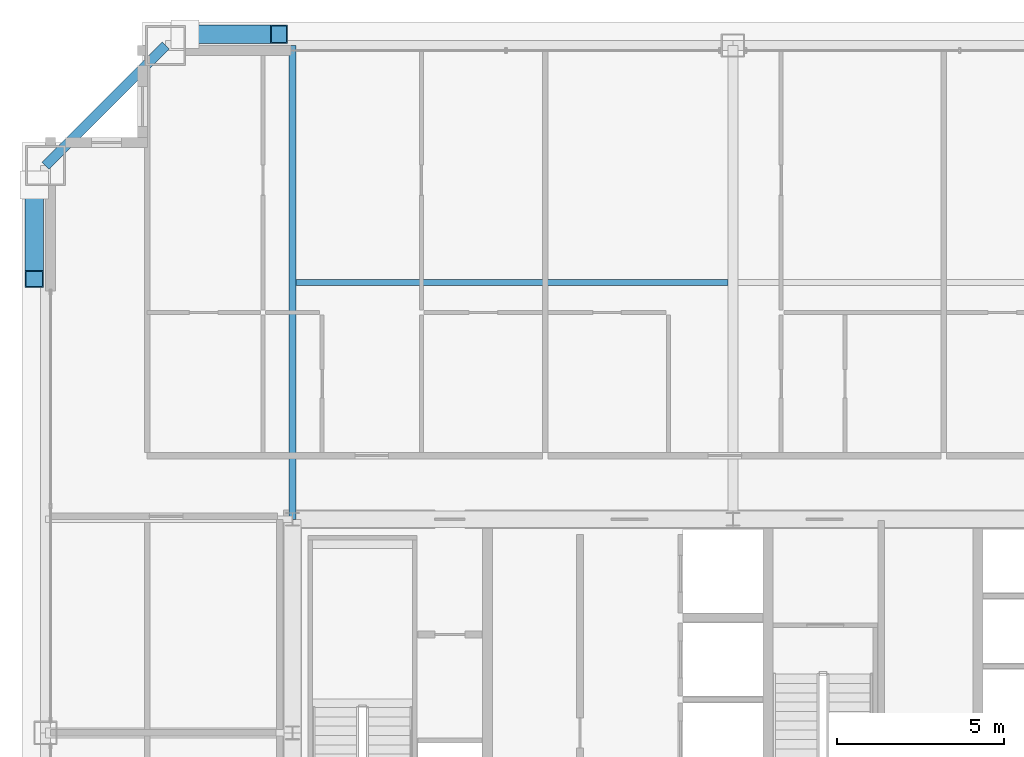
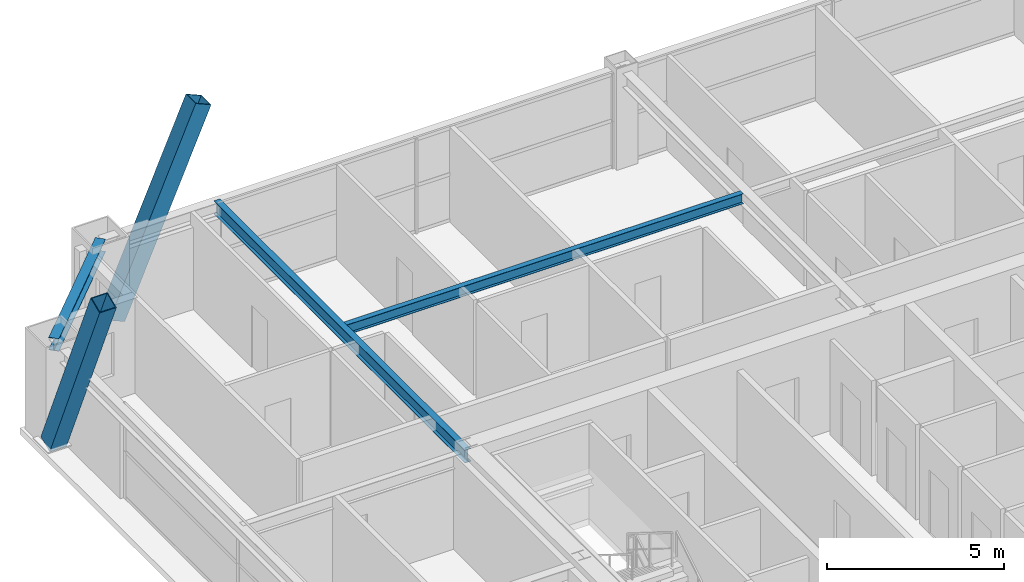
# One storey, part 21 of 35: 3 beams, 2 members.
"""IFC4 building model written with IfcOpenShell, lengths in metres."""

from ifc_helpers import new_model, si_unit, direction, frame, origin, origin_2d, place, context, subcontext, project, spatial, hollow_rectangle, i_section, extrude, source, transform, mapped, material, material_profile, profile_set, type_object, element, save


model = new_model("IFC4")

# Units and contexts
model_context = context("Model", 3, precision=1e-05, world=origin(), true_north=direction((0.0, 1.0)))
body_context = subcontext(model_context, "Body", "Model", "MODEL_VIEW")
ifc_project = project(units=[si_unit("LENGTHUNIT", "METRE"), si_unit("AREAUNIT", "SQUARE_METRE"), si_unit("VOLUMEUNIT", "CUBIC_METRE"), si_unit("PLANEANGLEUNIT", "RADIAN"), si_unit("MASSUNIT", "GRAM", prefix="KILO"), si_unit("THERMODYNAMICTEMPERATUREUNIT", "KELVIN"), si_unit("POWERUNIT", "WATT")], contexts=[model_context])

# Site, building, storey
site_placement = place(None, origin())
site = spatial("IfcSite", under=ifc_project, at=site_placement, CompositionType="ELEMENT")
building_placement = place(site_placement, origin())
building = spatial("IfcBuilding", under=site, at=building_placement, Name="Yuzanri Waterfront Tower", CompositionType="ELEMENT")
storey_placement = place(building_placement, frame((0.0, 0.0, 248.60009765625)))
storey = spatial("IfcBuildingStorey", under=building, at=storey_placement, Name="L66", CompositionType="ELEMENT", Elevation=248.60009765625)

# Beams
ifc_material_1 = material(Name="Steel Q355B", Category="steel")
ifc_material_profile_1 = material_profile(ifc_material_1, i_section(OverallWidth=0.300048828125, OverallDepth=0.43994140625, WebThickness=0.010986328125, FlangeThickness=0.01806640625, at=origin_2d()), Name="HM 440x300x11x18")
ifc_profile_set_1 = profile_set([ifc_material_profile_1], Name="Steel Q355B")
beam_type_1 = type_object("IfcBeamType", Name="Perimeter Spandrel Q355B HM 440x300", PredefinedType="SPANDREL", material=ifc_profile_set_1)
shared_shape_1 = source(origin(), body_context, "Body", "SweptSolid", [
    extrude(i_section(OverallWidth=0.300048828125, OverallDepth=0.43994140625, WebThickness=0.010986328125, FlangeThickness=0.01806640625, at=origin_2d()), origin(), (0.0, 0.0, 1.0), 5.091064453125),
])
beam_1_placement = place(storey_placement, frame((20.0, 46.39990234375, 3.059814453125), z_axis=(-0.707130757816, -0.707082803744, 0.0), x_axis=(0.707082803744, -0.707130757816, 0.0)))
element("IfcBeam", 1, at=beam_1_placement, inside=storey, type_object=beam_type_1, Name="L66 Perimeter Spandrel N1-W3", PredefinedType="SPANDREL", context=body_context, shape_type="MappedRepresentation", body=[
    mapped(shared_shape_1, transform((0.0, 0.0, 0.0), scale=1.0)),
])
ifc_material_2 = material(Name="Steel Q355B", Category="steel")
ifc_material_profile_2 = material_profile(ifc_material_2, i_section(OverallWidth=0.199951171875, OverallDepth=0.449951171875, WebThickness=0.009033203125, FlangeThickness=0.013916015625, at=origin_2d()), Name="HN 450x200x9x14")
ifc_profile_set_2 = profile_set([ifc_material_profile_2], Name="Steel Q355B")
beam_type_2 = type_object("IfcBeamType", Name="Secondary Floor Beam Q355B HN 450x200", PredefinedType="BEAM", material=ifc_profile_set_2)
shared_shape_2 = source(origin(), body_context, "Body", "SweptSolid", [
    extrude(i_section(OverallWidth=0.199951171875, OverallDepth=0.449951171875, WebThickness=0.009033203125, FlangeThickness=0.013916015625, at=origin_2d()), origin(), (0.0, 0.0, 1.0), 14.199951171875),
])
beam_2_placement = place(storey_placement, frame((23.800048828125, 32.199951171875, 3.054931640625), z_axis=(0.0, 1.0, 0.0), x_axis=(-1.0, 0.0, 0.0)))
element("IfcBeam", 2, at=beam_2_placement, inside=storey, type_object=beam_type_2, Name="L66 North-West Core Line Beam", PredefinedType="BEAM", context=body_context, shape_type="MappedRepresentation", body=[
    mapped(shared_shape_2, transform((0.0, 0.0, 0.0), scale=1.0)),
])
ifc_material_3 = material(Name="Steel Q355B", Category="steel")
ifc_material_profile_3 = material_profile(ifc_material_3, i_section(OverallWidth=0.175048828125, OverallDepth=0.35009765625, WebThickness=0.007080078125, FlangeThickness=0.010986328125, at=origin_2d()), Name="HN 350x175x7x11")
ifc_profile_set_3 = profile_set([ifc_material_profile_3], Name="Steel Q355B")
beam_type_3 = type_object("IfcBeamType", Name="Floor Joist Q355B HN 350x175", PredefinedType="JOIST", material=ifc_profile_set_3)
shared_shape_3 = source(origin(), body_context, "Body", "SweptSolid", [
    extrude(i_section(OverallWidth=0.175048828125, OverallDepth=0.35009765625, WebThickness=0.007080078125, FlangeThickness=0.010986328125, at=origin_2d()), origin(), (0.0, 0.0, 1.0), 12.9501953125),
])
beam_3_placement = place(storey_placement, frame((23.89990234375, 39.300048828125, 3.10498046875), z_axis=(1.0, 0.0, 0.0), x_axis=(0.0, 1.0, 0.0)))
element("IfcBeam", 3, at=beam_3_placement, inside=storey, type_object=beam_type_3, Name="L66 North Bay Joist W", PredefinedType="JOIST", context=body_context, shape_type="MappedRepresentation", body=[
    mapped(shared_shape_3, transform((0.0, 0.0, 0.0), scale=1.0)),
])

# Members
ifc_material_4 = material(Name="Steel Q390GJC", Category="steel")
ifc_material_profile_4 = material_profile(ifc_material_4, hollow_rectangle(XDim=0.550048828125, YDim=0.550048828125, WallThickness=0.02490234375, at=origin_2d()), Name="RHS 550x550x25")
ifc_profile_set_4 = profile_set([ifc_material_profile_4], Name="Steel Q390GJC")
member_type = type_object("IfcMemberType", Name="Mega Brace Mid Q390GJC RHS 550x550x25", PredefinedType="BRACE", material=ifc_profile_set_4)
shared_shape_4 = source(origin(), body_context, "Body", "SweptSolid", [
    extrude(hollow_rectangle(XDim=0.550048828125, YDim=0.550048828125, WallThickness=0.02490234375, at=origin_2d()), origin(), (0.0, 0.0, 1.0), 7.085205078125),
])
member_1_placement = place(storey_placement, frame((20.580078125, 46.739990234375, 0.179931640625), z_axis=(0.397982599681, 0.0, 0.917392963975), x_axis=(0.0, 1.0, 0.0)))
element("IfcMember", 4, at=member_1_placement, inside=storey, type_object=member_type, Name="L66-L67 Perimeter Mega-Brace N-L", PredefinedType="BRACE", context=body_context, shape_type="MappedRepresentation", body=[
    mapped(shared_shape_4, transform((0.0, 0.0, 0.0), scale=1.0)),
])
shared_shape_5 = source(origin(), body_context, "Body", "SweptSolid", [
    extrude(hollow_rectangle(XDim=0.550048828125, YDim=0.550048828125, WallThickness=0.02490234375, at=origin_2d()), origin(), (0.0, 0.0, 1.0), 7.08544921875),
])
member_2_placement = place(storey_placement, frame((16.06005859375, 42.219970703125, 0.179931640625), z_axis=(0.0, -0.398011598745, 0.917380383082), x_axis=(1.0, 0.0, 0.0)))
element("IfcMember", 5, at=member_2_placement, inside=storey, type_object=member_type, Name="L66-L67 Perimeter Mega-Brace W-R", PredefinedType="BRACE", context=body_context, shape_type="MappedRepresentation", body=[
    mapped(shared_shape_5, transform((0.0, 0.0, 0.0), scale=1.0)),
])

save(model, "model.ifc")
